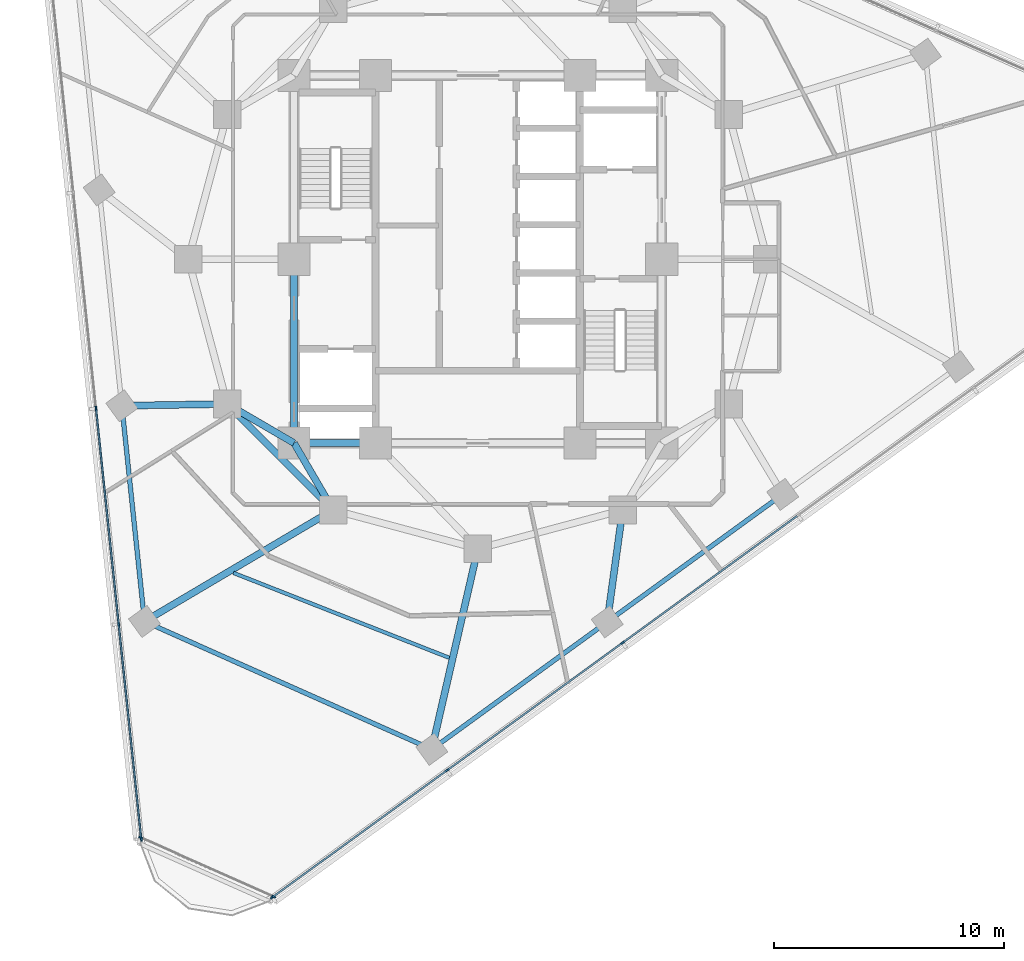
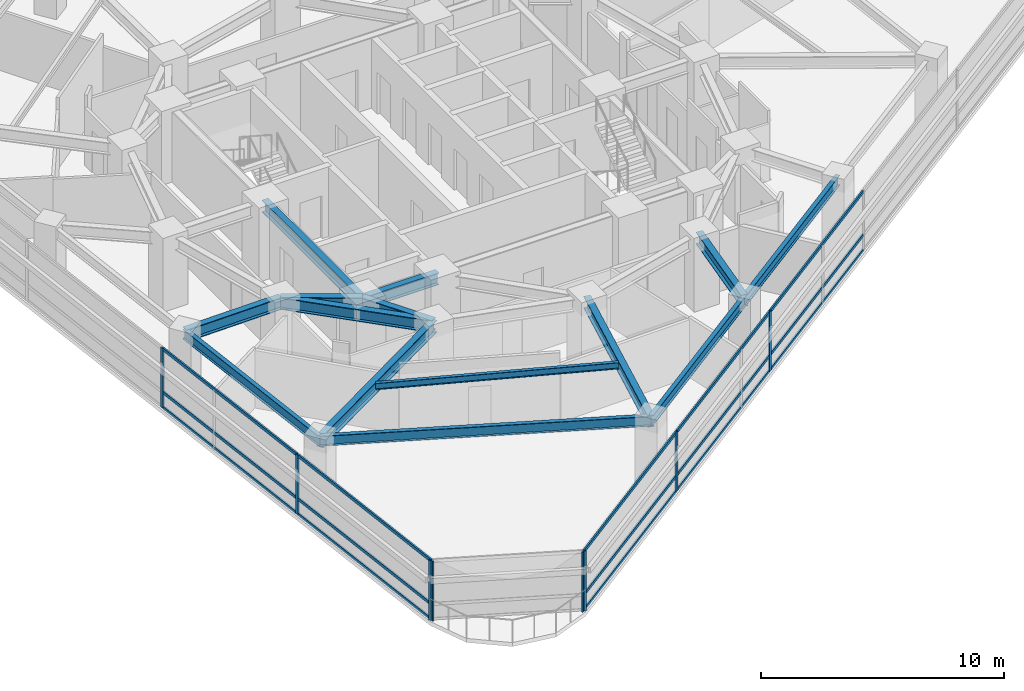
# One storey, part 2 of 14: 23 members, 14 beams, 3 elements without a shape of their own.
"""IFC4 building model written with IfcOpenShell, lengths in metres."""

from ifc_helpers import new_model, si_unit, direction, frame, origin, origin_2d, place, context, subcontext, project, spatial, rectangle, i_section, extrude, material, layer, layer_set, material_profile, profile_set, type_object, element, aggregate, save


model = new_model("IFC4")

# Units and contexts
model_context = context("Model", 3, precision=1e-05, world=origin(), true_north=direction((0.0, 1.0)))
body_context = subcontext(model_context, "Body", "Model", "MODEL_VIEW")
ifc_project = project(units=[si_unit("LENGTHUNIT", "METRE"), si_unit("AREAUNIT", "SQUARE_METRE"), si_unit("VOLUMEUNIT", "CUBIC_METRE"), si_unit("PLANEANGLEUNIT", "RADIAN"), si_unit("MASSUNIT", "GRAM", prefix="KILO")], contexts=[model_context])

# Site, building, storey
site_placement = place(None, origin())
site = spatial("IfcSite", under=ifc_project, at=site_placement, CompositionType="ELEMENT")
building_placement = place(site_placement, origin())
building = spatial("IfcBuilding", under=site, at=building_placement, Name="Terralouvre Media Tower", CompositionType="ELEMENT")
storey_placement = place(building_placement, frame((0.0, 0.0, 154.60009765625)))
storey = spatial("IfcBuildingStorey", under=building, at=storey_placement, Name="L39", CompositionType="ELEMENT", Elevation=154.60009765625)

# Beam
ifc_material_1 = material(Name="Structural steel S355J2", Category="steel")
ifc_material_profile_1 = material_profile(ifc_material_1, i_section(OverallWidth=0.159912109375, OverallDepth=0.330078125, WebThickness=0.007568359375, FlangeThickness=0.011474609375, at=origin_2d()), Name="IPE 330")
ifc_profile_set_1 = profile_set([ifc_material_profile_1], Name="Structural steel S355J2")
beam_type_1 = type_object("IfcBeamType", Name="Composite Floor Joist J-IPE330 (IPE 330)", PredefinedType="JOIST", material=ifc_profile_set_1)
beam_1_placement = place(storey_placement, frame((-10.638916015625, -13.648681640625, 3.3349609375), z_axis=(0.93055150024, -0.366161037525, 0.0), x_axis=(0.366161037525, 0.93055150024, 0.0)))
element("IfcBeam", 1, at=beam_1_placement, inside=storey, type_object=beam_type_1, Name="L39 Framing Beam JT-L39-01", PredefinedType="JOIST", context=body_context, shape_type="SweptSolid", body=[
    extrude(i_section(OverallWidth=0.159912109375, OverallDepth=0.330078125, WebThickness=0.007568359375, FlangeThickness=0.011474609375, at=origin_2d()), origin(), (0.0, 0.0, 1.0), 10.0966796875),
])

# Curtain wall, members
ifc_material_2 = material(Name="Low-iron laminated double glazing with solar-control coating", Category="glass")
ifc_layer_1 = layer(ifc_material_2, 0.1650390625, Name="Production Studio Tower Curtain Wall CW-03")
ifc_layer_set_1 = layer_set([ifc_layer_1], Name="Low-iron laminated double glazing with solar-control coating")
curtain_wall_type_1 = type_object("IfcCurtainWallType", Name="Production Studio Tower Curtain Wall CW-03", PredefinedType="NOTDEFINED", material=ifc_layer_set_1)
curtain_wall_1_placement = place(storey_placement, origin())
curtain_wall_1 = element("IfcCurtainWall", 2, at=curtain_wall_1_placement, inside=storey, type_object=curtain_wall_type_1, Name="L39 Facade Curtain Wall F0", PredefinedType="NOTDEFINED")
ifc_material_3 = material(Name="Anodised extruded aluminium 6063-T6", Category="aluminium")
ifc_material_profile_2 = material_profile(ifc_material_3, rectangle(XDim=0.074951171875, YDim=0.14990234375, at=origin_2d()), Name="ALU 75x150")
ifc_profile_set_2 = profile_set([ifc_material_profile_2], Name="Anodised extruded aluminium 6063-T6")
member_type_1 = type_object("IfcMemberType", Name="Curtain-Wall Horizontal Transom TR-150", PredefinedType="USERDEFINED", material=ifc_profile_set_2)
member_1_placement = place(storey_placement, frame((-8.9189453125, -27.7470703125, 0.037353515625), z_axis=(0.809025744282, 0.58777320889, 0.0), x_axis=(-0.58777320889, 0.809025744282, 0.0)))
member_1 = element("IfcMember", 3, at=member_1_placement, type_object=member_type_1, Name="CW-03 transom 1.1", ObjectType="TRANSOM", PredefinedType="USERDEFINED", context=body_context, shape_type="SweptSolid", body=[
    extrude(rectangle(XDim=0.074951171875, YDim=0.14990234375, at=origin_2d()), origin(), (0.0, 0.0, 1.0), 9.327392578125),
])
member_2_placement = place(storey_placement, frame((-8.9189453125, -27.7470703125, 0.7998046875), z_axis=(0.809025744282, 0.58777320889, 0.0), x_axis=(-0.58777320889, 0.809025744282, 0.0)))
member_2 = element("IfcMember", 4, at=member_2_placement, type_object=member_type_1, Name="CW-03 transom 1.2", ObjectType="TRANSOM", PredefinedType="USERDEFINED", context=body_context, shape_type="SweptSolid", body=[
    extrude(rectangle(XDim=0.074951171875, YDim=0.14990234375, at=origin_2d()), origin(), (0.0, 0.0, 1.0), 9.327392578125),
])
member_3_placement = place(storey_placement, frame((-8.9189453125, -27.7470703125, 2.96240234375), z_axis=(0.809025744282, 0.58777320889, 0.0), x_axis=(-0.58777320889, 0.809025744282, 0.0)))
member_3 = element("IfcMember", 5, at=member_3_placement, type_object=member_type_1, Name="CW-03 transom 1.3", ObjectType="TRANSOM", PredefinedType="USERDEFINED", context=body_context, shape_type="SweptSolid", body=[
    extrude(rectangle(XDim=0.074951171875, YDim=0.14990234375, at=origin_2d()), origin(), (0.0, 0.0, 1.0), 9.327392578125),
])
member_4_placement = place(storey_placement, frame((-1.312255859375, -22.220458984375, 0.037353515625), z_axis=(0.809014443998, 0.587788762569, 0.0), x_axis=(-0.587788762569, 0.809014443998, 0.0)))
member_4 = element("IfcMember", 6, at=member_4_placement, type_object=member_type_1, Name="CW-03 transom 2.1", ObjectType="TRANSOM", PredefinedType="USERDEFINED", context=body_context, shape_type="SweptSolid", body=[
    extrude(rectangle(XDim=0.074951171875, YDim=0.14990234375, at=origin_2d()), origin(), (0.0, 0.0, 1.0), 9.364990234375),
])
member_5_placement = place(storey_placement, frame((-1.312255859375, -22.220458984375, 0.7998046875), z_axis=(0.809014443998, 0.587788762569, 0.0), x_axis=(-0.587788762569, 0.809014443998, 0.0)))
member_5 = element("IfcMember", 7, at=member_5_placement, type_object=member_type_1, Name="CW-03 transom 2.2", ObjectType="TRANSOM", PredefinedType="USERDEFINED", context=body_context, shape_type="SweptSolid", body=[
    extrude(rectangle(XDim=0.074951171875, YDim=0.14990234375, at=origin_2d()), origin(), (0.0, 0.0, 1.0), 9.364990234375),
])
member_6_placement = place(storey_placement, frame((-1.312255859375, -22.220458984375, 2.96240234375), z_axis=(0.809014443998, 0.587788762569, 0.0), x_axis=(-0.587788762569, 0.809014443998, 0.0)))
member_6 = element("IfcMember", 8, at=member_6_placement, type_object=member_type_1, Name="CW-03 transom 2.3", ObjectType="TRANSOM", PredefinedType="USERDEFINED", context=body_context, shape_type="SweptSolid", body=[
    extrude(rectangle(XDim=0.074951171875, YDim=0.14990234375, at=origin_2d()), origin(), (0.0, 0.0, 1.0), 9.364990234375),
])
member_7_placement = place(storey_placement, frame((6.324951171875, -16.671875, 0.037353515625), z_axis=(0.809014443998, 0.587788762569, 0.0), x_axis=(-0.587788762569, 0.809014443998, 0.0)))
member_7 = element("IfcMember", 9, at=member_7_placement, type_object=member_type_1, Name="CW-03 transom 3.1", ObjectType="TRANSOM", PredefinedType="USERDEFINED", context=body_context, shape_type="SweptSolid", body=[
    extrude(rectangle(XDim=0.074951171875, YDim=0.14990234375, at=origin_2d()), origin(), (0.0, 0.0, 1.0), 9.364990234375),
])
member_8_placement = place(storey_placement, frame((6.324951171875, -16.671875, 0.7998046875), z_axis=(0.809014443998, 0.587788762569, 0.0), x_axis=(-0.587788762569, 0.809014443998, 0.0)))
member_8 = element("IfcMember", 10, at=member_8_placement, type_object=member_type_1, Name="CW-03 transom 3.2", ObjectType="TRANSOM", PredefinedType="USERDEFINED", context=body_context, shape_type="SweptSolid", body=[
    extrude(rectangle(XDim=0.074951171875, YDim=0.14990234375, at=origin_2d()), origin(), (0.0, 0.0, 1.0), 9.364990234375),
])
member_9_placement = place(storey_placement, frame((6.324951171875, -16.671875, 2.96240234375), z_axis=(0.809014443998, 0.587788762569, 0.0), x_axis=(-0.587788762569, 0.809014443998, 0.0)))
member_9 = element("IfcMember", 11, at=member_9_placement, type_object=member_type_1, Name="CW-03 transom 3.3", ObjectType="TRANSOM", PredefinedType="USERDEFINED", context=body_context, shape_type="SweptSolid", body=[
    extrude(rectangle(XDim=0.074951171875, YDim=0.14990234375, at=origin_2d()), origin(), (0.0, 0.0, 1.0), 9.364990234375),
])

curtain_wall_2_placement = place(storey_placement, origin())
curtain_wall_2 = element("IfcCurtainWall", 12, at=curtain_wall_2_placement, inside=storey, type_object=curtain_wall_type_1, Name="L39 Facade Curtain Wall F2", PredefinedType="NOTDEFINED")
member_10_placement = place(storey_placement, frame((-16.614013671875, -6.52978515625, 0.037353515625), z_axis=(0.104538223456, -0.994520869483, 0.0), x_axis=(0.994520869483, 0.104538223456, 0.0)))
member_10 = element("IfcMember", 13, at=member_10_placement, type_object=member_type_1, Name="CW-03 transom 4.1", ObjectType="TRANSOM", PredefinedType="USERDEFINED", context=body_context, shape_type="SweptSolid", body=[
    extrude(rectangle(XDim=0.074951171875, YDim=0.14990234375, at=origin_2d()), origin(), (0.0, 0.0, 1.0), 9.364990234375),
])
member_11_placement = place(storey_placement, frame((-16.614013671875, -6.52978515625, 0.7998046875), z_axis=(0.104538223456, -0.994520869483, 0.0), x_axis=(0.994520869483, 0.104538223456, 0.0)))
member_11 = element("IfcMember", 14, at=member_11_placement, type_object=member_type_1, Name="CW-03 transom 4.2", ObjectType="TRANSOM", PredefinedType="USERDEFINED", context=body_context, shape_type="SweptSolid", body=[
    extrude(rectangle(XDim=0.074951171875, YDim=0.14990234375, at=origin_2d()), origin(), (0.0, 0.0, 1.0), 9.364990234375),
])
member_12_placement = place(storey_placement, frame((-16.614013671875, -6.52978515625, 2.96240234375), z_axis=(0.104538223456, -0.994520869483, 0.0), x_axis=(0.994520869483, 0.104538223456, 0.0)))
member_12 = element("IfcMember", 15, at=member_12_placement, type_object=member_type_1, Name="CW-03 transom 4.3", ObjectType="TRANSOM", PredefinedType="USERDEFINED", context=body_context, shape_type="SweptSolid", body=[
    extrude(rectangle(XDim=0.074951171875, YDim=0.14990234375, at=origin_2d()), origin(), (0.0, 0.0, 1.0), 9.364990234375),
])
member_13_placement = place(storey_placement, frame((-15.627197265625, -15.918212890625, 0.037353515625), z_axis=(0.104540358364, -0.994520645071, 0.0), x_axis=(0.994520645071, 0.104540358364, 0.0)))
member_13 = element("IfcMember", 16, at=member_13_placement, type_object=member_type_1, Name="CW-03 transom 5.1", ObjectType="TRANSOM", PredefinedType="USERDEFINED", context=body_context, shape_type="SweptSolid", body=[
    extrude(rectangle(XDim=0.074951171875, YDim=0.14990234375, at=origin_2d()), origin(), (0.0, 0.0, 1.0), 9.327392578125),
])
member_14_placement = place(storey_placement, frame((-15.627197265625, -15.918212890625, 0.7998046875), z_axis=(0.104540358364, -0.994520645071, 0.0), x_axis=(0.994520645071, 0.104540358364, 0.0)))
member_14 = element("IfcMember", 17, at=member_14_placement, type_object=member_type_1, Name="CW-03 transom 5.2", ObjectType="TRANSOM", PredefinedType="USERDEFINED", context=body_context, shape_type="SweptSolid", body=[
    extrude(rectangle(XDim=0.074951171875, YDim=0.14990234375, at=origin_2d()), origin(), (0.0, 0.0, 1.0), 9.327392578125),
])
member_15_placement = place(storey_placement, frame((-15.627197265625, -15.918212890625, 2.96240234375), z_axis=(0.104540358364, -0.994520645071, 0.0), x_axis=(0.994520645071, 0.104540358364, 0.0)))
member_15 = element("IfcMember", 18, at=member_15_placement, type_object=member_type_1, Name="CW-03 transom 5.3", ObjectType="TRANSOM", PredefinedType="USERDEFINED", context=body_context, shape_type="SweptSolid", body=[
    extrude(rectangle(XDim=0.074951171875, YDim=0.14990234375, at=origin_2d()), origin(), (0.0, 0.0, 1.0), 9.327392578125),
])

# Member
ifc_material_4 = material(Name="Anodised extruded aluminium 6063-T6", Category="aluminium")
ifc_material_profile_3 = material_profile(ifc_material_4, rectangle(XDim=0.074951171875, YDim=0.179931640625, at=origin_2d()), Name="ALU 75x180")
ifc_profile_set_3 = profile_set([ifc_material_profile_3], Name="Anodised extruded aluminium 6063-T6")
member_type_2 = type_object("IfcMemberType", Name="Curtain-Wall Vertical Mullion ML-180", PredefinedType="MULLION", material=ifc_profile_set_3)
member_16_placement = place(storey_placement, frame((-8.949462890625, -27.769287109375, 0.0), z_axis=(0.0, 0.0, 1.0), x_axis=(-0.587785358263, 0.809016917383, 0.0)))
member_16 = element("IfcMember", 19, at=member_16_placement, type_object=member_type_2, Name="CW-03 mullion 1", PredefinedType="MULLION", context=body_context, shape_type="SweptSolid", body=[
    extrude(rectangle(XDim=0.074951171875, YDim=0.179931640625, at=origin_2d()), origin(), (0.0, 0.0, 1.0), 3.0),
])

member_17_placement = place(storey_placement, frame((-1.342529296875, -22.24267578125, 0.0), z_axis=(0.0, 0.0, 1.0), x_axis=(-0.587785358263, 0.809016917383, 0.0)))
member_17 = element("IfcMember", 20, at=member_17_placement, type_object=member_type_2, Name="CW-03 mullion 2", PredefinedType="MULLION", context=body_context, shape_type="SweptSolid", body=[
    extrude(rectangle(XDim=0.074951171875, YDim=0.179931640625, at=origin_2d()), origin(), (0.0, 0.0, 1.0), 3.0),
])

member_18_placement = place(storey_placement, frame((6.294677734375, -16.69384765625, 0.0), z_axis=(0.0, 0.0, 1.0), x_axis=(-0.587785358263, 0.809016917383, 0.0)))
member_18 = element("IfcMember", 21, at=member_18_placement, type_object=member_type_2, Name="CW-03 mullion 3", PredefinedType="MULLION", context=body_context, shape_type="SweptSolid", body=[
    extrude(rectangle(XDim=0.074951171875, YDim=0.179931640625, at=origin_2d()), origin(), (0.0, 0.0, 1.0), 3.0),
])

aggregate(curtain_wall_1, [member_16, member_17, member_18, member_1, member_2, member_3, member_4, member_5, member_6, member_7, member_8, member_9])

member_19_placement = place(storey_placement, frame((-16.617919921875, -6.49267578125, 0.0), z_axis=(0.0, 0.0, 1.0), x_axis=(0.994521904516, 0.104528376236, 0.0)))
member_19 = element("IfcMember", 22, at=member_19_placement, type_object=member_type_2, Name="CW-03 mullion 4", PredefinedType="MULLION", context=body_context, shape_type="SweptSolid", body=[
    extrude(rectangle(XDim=0.074951171875, YDim=0.179931640625, at=origin_2d()), origin(), (0.0, 0.0, 1.0), 3.0),
])

member_20_placement = place(storey_placement, frame((-15.631103515625, -15.880859375, 0.0), z_axis=(0.0, 0.0, 1.0), x_axis=(0.994521904516, 0.104528376236, 0.0)))
member_20 = element("IfcMember", 23, at=member_20_placement, type_object=member_type_2, Name="CW-03 mullion 5", PredefinedType="MULLION", context=body_context, shape_type="SweptSolid", body=[
    extrude(rectangle(XDim=0.074951171875, YDim=0.179931640625, at=origin_2d()), origin(), (0.0, 0.0, 1.0), 3.0),
])

member_21_placement = place(storey_placement, frame((-14.648193359375, -25.23193359375, 0.0), z_axis=(0.0, 0.0, 1.0), x_axis=(0.994521904516, 0.104528376236, 0.0)))
member_21 = element("IfcMember", 24, at=member_21_placement, type_object=member_type_2, Name="CW-03 mullion 6", PredefinedType="MULLION", context=body_context, shape_type="SweptSolid", body=[
    extrude(rectangle(XDim=0.074951171875, YDim=0.179931640625, at=origin_2d()), origin(), (0.0, 0.0, 1.0), 3.0),
])

aggregate(curtain_wall_2, [member_19, member_20, member_21, member_10, member_11, member_12, member_13, member_14, member_15])

# Curtain wall, members
ifc_material_5 = material(Name="Low-iron laminated double glazing with solar-control coating", Category="glass")
ifc_layer_2 = layer(ifc_material_5, 0.1650390625, Name="Rounded Wind-Corner Curved Glazing CW-04")
ifc_layer_set_2 = layer_set([ifc_layer_2], Name="Low-iron laminated double glazing with solar-control coating")
curtain_wall_type_2 = type_object("IfcCurtainWallType", Name="Rounded Wind-Corner Curved Glazing CW-04", PredefinedType="NOTDEFINED", material=ifc_layer_set_2)
curtain_wall_3_placement = place(storey_placement, origin())
curtain_wall_3 = element("IfcCurtainWall", 25, at=curtain_wall_3_placement, inside=storey, type_object=curtain_wall_type_2, Name="L39 Rounded Wind-Corner Curtain Wall C0", PredefinedType="NOTDEFINED")
member_22_placement = place(storey_placement, frame((-14.67236328125, -25.169189453125, 0.0), z_axis=(0.0, 0.0, 1.0), x_axis=(0.406736754128, 0.913545408199, 0.0)))
member_22 = element("IfcMember", 26, at=member_22_placement, type_object=member_type_2, Name="CW-04 mullion 1", PredefinedType="MULLION", context=body_context, shape_type="SweptSolid", body=[
    extrude(rectangle(XDim=0.074951171875, YDim=0.179931640625, at=origin_2d()), origin(), (0.0, 0.0, 1.0), 3.0),
])
member_23_placement = place(storey_placement, frame((-8.886474609375, -27.7451171875, 0.0), z_axis=(0.0, 0.0, 1.0), x_axis=(0.406736754128, 0.913545408199, 0.0)))
member_23 = element("IfcMember", 27, at=member_23_placement, type_object=member_type_2, Name="CW-04 mullion 2", PredefinedType="MULLION", context=body_context, shape_type="SweptSolid", body=[
    extrude(rectangle(XDim=0.074951171875, YDim=0.179931640625, at=origin_2d()), origin(), (0.0, 0.0, 1.0), 3.0),
])
aggregate(curtain_wall_3, [member_22, member_23])

# Beams
ifc_material_6 = material(Name="Structural steel S355J2", Category="steel")
ifc_material_profile_4 = material_profile(ifc_material_6, i_section(OverallWidth=0.199951171875, OverallDepth=0.5, WebThickness=0.01025390625, FlangeThickness=0.01611328125, at=origin_2d()), Name="IPE 500")
ifc_profile_set_4 = profile_set([ifc_material_profile_4], Name="Structural steel S355J2")
beam_type_2 = type_object("IfcBeamType", Name="Perimeter Spandrel Beam SPB-500 (IPE 500)", PredefinedType="SPANDREL", material=ifc_profile_set_4)
beam_2_placement = place(storey_placement, frame((-15.494140625, -6.37451171875, 3.25), z_axis=(0.10453669331, -0.994521030321, 0.0), x_axis=(0.994521030321, 0.10453669331, 0.0)))
element("IfcBeam", 28, at=beam_2_placement, inside=storey, type_object=beam_type_2, Name="L39 Framing Beam BM-L39-PR01", PredefinedType="SPANDREL", context=body_context, shape_type="SweptSolid", body=[
    extrude(i_section(OverallWidth=0.199951171875, OverallDepth=0.5, WebThickness=0.01025390625, FlangeThickness=0.01611328125, at=origin_2d()), origin(), (0.0, 0.0, 1.0), 9.43994140625),
])
beam_3_placement = place(storey_placement, frame((-14.50732421875, -15.7626953125, 3.25), z_axis=(0.913542800127, -0.4067426119, 0.0), x_axis=(0.4067426119, 0.913542800127, 0.0)))
element("IfcBeam", 29, at=beam_3_placement, inside=storey, type_object=beam_type_2, Name="L39 Framing Beam BM-L39-PR02", PredefinedType="SPANDREL", context=body_context, shape_type="SweptSolid", body=[
    extrude(i_section(OverallWidth=0.199951171875, OverallDepth=0.5, WebThickness=0.01025390625, FlangeThickness=0.01611328125, at=origin_2d()), origin(), (0.0, 0.0, 1.0), 13.68359375),
])
beam_4_placement = place(storey_placement, frame((-2.0068359375, -21.328369140625, 3.25), z_axis=(0.809025644413, 0.587773346352, 0.0), x_axis=(-0.587773346352, 0.809025644413, 0.0)))
element("IfcBeam", 30, at=beam_4_placement, inside=storey, type_object=beam_type_2, Name="L39 Framing Beam BM-L39-PR03", PredefinedType="SPANDREL", context=body_context, shape_type="SweptSolid", body=[
    extrude(i_section(OverallWidth=0.199951171875, OverallDepth=0.5, WebThickness=0.01025390625, FlangeThickness=0.01611328125, at=origin_2d()), origin(), (0.0, 0.0, 1.0), 9.43994140625),
])
beam_5_placement = place(storey_placement, frame((5.63037109375, -15.77978515625, 3.239990234375), z_axis=(0.809013346268, 0.587790273448, 0.0), x_axis=(-0.587790273448, 0.809013346268, 0.0)))
element("IfcBeam", 31, at=beam_5_placement, inside=storey, type_object=beam_type_2, Name="L39 Framing Beam BM-L39-PR04", PredefinedType="SPANDREL", context=body_context, shape_type="SweptSolid", body=[
    extrude(i_section(OverallWidth=0.199951171875, OverallDepth=0.5, WebThickness=0.01025390625, FlangeThickness=0.01611328125, at=origin_2d()), origin(), (0.0, 0.0, 1.0), 9.440185546875),
])
ifc_material_7 = material(Name="Structural steel S460M", Category="steel")
ifc_material_profile_5 = material_profile(ifc_material_7, i_section(OverallWidth=0.300048828125, OverallDepth=0.60009765625, WebThickness=0.015380859375, FlangeThickness=0.030029296875, at=origin_2d()), Name="HEB 600")
ifc_profile_set_5 = profile_set([ifc_material_profile_5], Name="Structural steel S460M")
beam_type_3 = type_object("IfcBeamType", Name="Primary Floor Girder B-HEB600 (HEB 600)", PredefinedType="BEAM", material=ifc_profile_set_5)
beam_6_placement = place(storey_placement, frame((-8.0, -8.0, 3.199951171875), z_axis=(1.0, 0.0, 0.0), x_axis=(0.0, 1.0, 0.0)))
element("IfcBeam", 32, at=beam_6_placement, inside=storey, type_object=beam_type_3, Name="L39 Framing Beam BM-L39-CPR01", PredefinedType="BEAM", context=body_context, shape_type="SweptSolid", body=[
    extrude(i_section(OverallWidth=0.300048828125, OverallDepth=0.60009765625, WebThickness=0.015380859375, FlangeThickness=0.030029296875, at=origin_2d()), origin(), (0.0, 0.0, 1.0), 3.550048828125),
])
beam_7_placement = place(storey_placement, frame((-8.0, 0.0, 3.199951171875), z_axis=(0.0, -1.0, 0.0), x_axis=(1.0, 0.0, 0.0)))
element("IfcBeam", 33, at=beam_7_placement, inside=storey, type_object=beam_type_3, Name="L39 Framing Beam BM-L39-CPR10", PredefinedType="BEAM", context=body_context, shape_type="SweptSolid", body=[
    extrude(i_section(OverallWidth=0.300048828125, OverallDepth=0.60009765625, WebThickness=0.015380859375, FlangeThickness=0.030029296875, at=origin_2d()), origin(), (0.0, 0.0, 1.0), 8.0),
])
beam_8_placement = place(storey_placement, frame((-10.911865234375, -6.300048828125, 3.199951171875), z_axis=(0.707106781187, -0.707106781187, 0.0), x_axis=(0.707106781187, 0.707106781187, 0.0)))
element("IfcBeam", 34, at=beam_8_placement, inside=storey, type_object=beam_type_3, Name="L39 Framing Beam BM-L39-MR01", PredefinedType="BEAM", context=body_context, shape_type="SweptSolid", body=[
    extrude(i_section(OverallWidth=0.300048828125, OverallDepth=0.60009765625, WebThickness=0.015380859375, FlangeThickness=0.030029296875, at=origin_2d()), origin(), (0.0, 0.0, 1.0), 6.52197265625),
])
for number, where, z_axis, x_axis, name in (
    (35, (-8.0, -8.0, 3.199951171875), (-0.863602894532, 0.504172629717, 0.0), (-0.504172629717, -0.863602894532, 0.0), "L39 Framing Beam BM-L39-CM01"),
    (36, (-8.0, -8.0, 3.199951171875), (0.504172629717, -0.863602894532, 0.0), (0.863602894532, 0.504172629717, 0.0), "L39 Framing Beam BM-L39-CM02"),
):
    element("IfcBeam", number, at=place(storey_placement, frame(where, z_axis=z_axis, x_axis=x_axis)), inside=storey, type_object=beam_type_3, Name=name, PredefinedType="BEAM", context=body_context, shape_type="SweptSolid", body=[
        extrude(i_section(OverallWidth=0.300048828125, OverallDepth=0.60009765625, WebThickness=0.015380859375, FlangeThickness=0.030029296875, at=origin_2d()), origin(), (0.0, 0.0, 1.0), 3.371826171875),
    ])
beam_9_placement = place(storey_placement, frame((-10.911865234375, -6.300048828125, 3.199951171875), z_axis=(-0.999867991647, -0.016248054635, 0.0), x_axis=(0.016248054635, -0.999867991647, 0.0)))
element("IfcBeam", 37, at=beam_9_placement, inside=storey, type_object=beam_type_3, Name="L39 Framing Beam BM-L39-RD01", PredefinedType="BEAM", context=body_context, shape_type="SweptSolid", body=[
    extrude(i_section(OverallWidth=0.300048828125, OverallDepth=0.60009765625, WebThickness=0.015380859375, FlangeThickness=0.030029296875, at=origin_2d()), origin(), (0.0, 0.0, 1.0), 4.582763671875),
])
beam_10_placement = place(storey_placement, frame((-6.300048828125, -10.911865234375, 3.199951171875), z_axis=(-0.86087707212, -0.508812997768, 0.0), x_axis=(0.508812997768, -0.86087707212, 0.0)))
element("IfcBeam", 38, at=beam_10_placement, inside=storey, type_object=beam_type_3, Name="L39 Framing Beam BM-L39-RD02", PredefinedType="BEAM", context=body_context, shape_type="SweptSolid", body=[
    extrude(i_section(OverallWidth=0.300048828125, OverallDepth=0.60009765625, WebThickness=0.015380859375, FlangeThickness=0.030029296875, at=origin_2d()), origin(), (0.0, 0.0, 1.0), 9.53369140625),
])
beam_11_placement = place(storey_placement, frame((0.0, -12.60009765625, 3.199951171875), z_axis=(-0.224077011605, -0.974571440619, 0.0), x_axis=(0.974571440619, -0.224077011605, 0.0)))
element("IfcBeam", 39, at=beam_11_placement, inside=storey, type_object=beam_type_3, Name="L39 Framing Beam BM-L39-RD03", PredefinedType="BEAM", context=body_context, shape_type="SweptSolid", body=[
    extrude(i_section(OverallWidth=0.300048828125, OverallDepth=0.60009765625, WebThickness=0.015380859375, FlangeThickness=0.030029296875, at=origin_2d()), origin(), (0.0, 0.0, 1.0), 8.9560546875),
])
beam_12_placement = place(storey_placement, frame((6.300048828125, -10.911865234375, 3.199951171875), z_axis=(-0.136285998947, -0.990669534452, 0.0), x_axis=(0.990669534452, -0.136285998947, 0.0)))
element("IfcBeam", 40, at=beam_12_placement, inside=storey, type_object=beam_type_3, Name="L39 Framing Beam BM-L39-RD04", PredefinedType="BEAM", context=body_context, shape_type="SweptSolid", body=[
    extrude(i_section(OverallWidth=0.300048828125, OverallDepth=0.60009765625, WebThickness=0.015380859375, FlangeThickness=0.030029296875, at=origin_2d()), origin(), (0.0, 0.0, 1.0), 4.913818359375),
])

save(model, "model.ifc")
